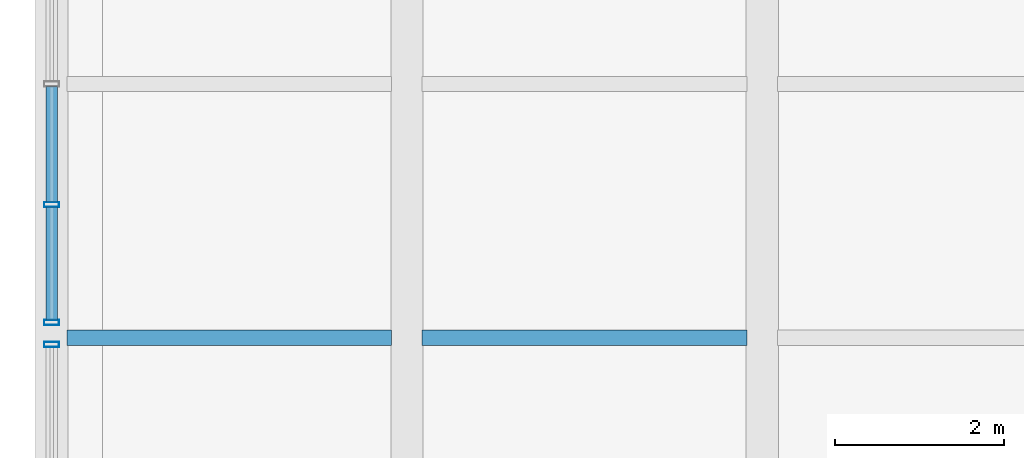
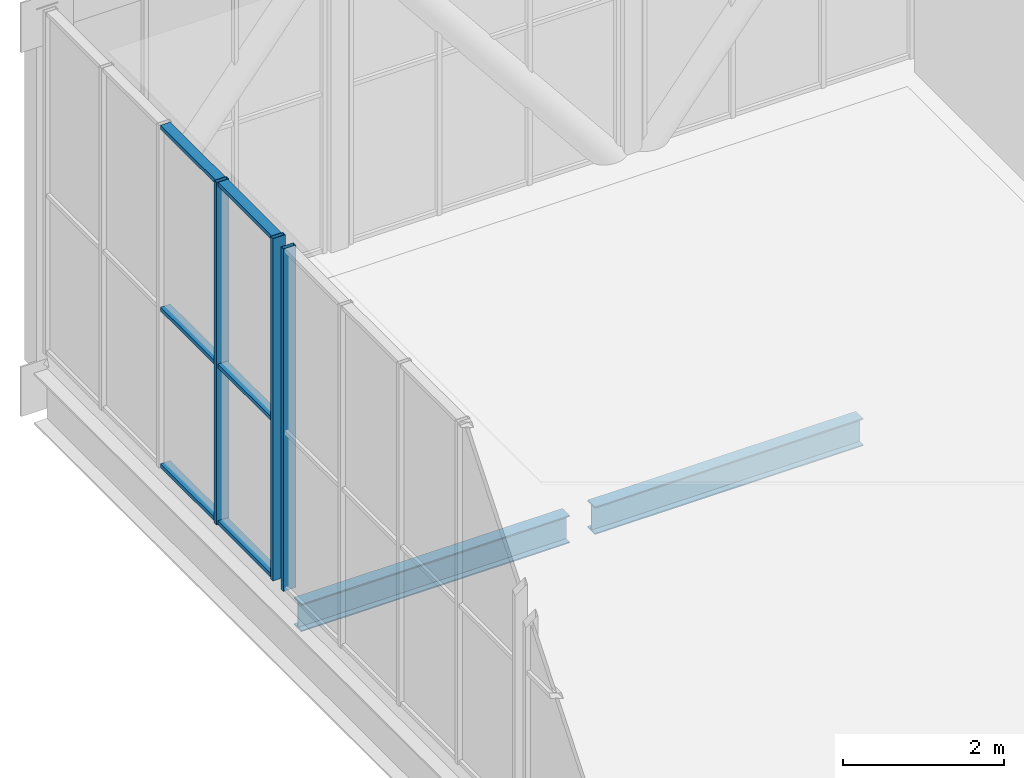
# One storey, part 10 of 58: 9 members, 2 beams, 2 elements without a shape of their own.
"""IFC4 building model written with IfcOpenShell, lengths in metres."""

from ifc_helpers import new_model, si_unit, direction, frame, origin, origin_2d, place, context, subcontext, project, spatial, hollow_rectangle, i_section, extrude, material, material_profile, profile_set, type_object, element, aggregate, save


model = new_model("IFC4")

# Units and contexts
model_context = context("Model", 3, precision=1e-05, world=origin(), true_north=direction((0.0, 1.0)))
body_context = subcontext(model_context, "Body", "Model", "MODEL_VIEW")
ifc_project = project(units=[si_unit("LENGTHUNIT", "METRE"), si_unit("AREAUNIT", "SQUARE_METRE"), si_unit("VOLUMEUNIT", "CUBIC_METRE"), si_unit("PLANEANGLEUNIT", "RADIAN"), si_unit("MASSUNIT", "GRAM", prefix="KILO")], contexts=[model_context])

# Site, building, storey
site_placement = place(None, origin())
site = spatial("IfcSite", under=ifc_project, at=site_placement, CompositionType="ELEMENT")
building_placement = place(site_placement, origin())
building = spatial("IfcBuilding", under=site, at=building_placement, Name="Khurvash Pelagic Aquarium", CompositionType="ELEMENT")
storey_placement = place(building_placement, frame((0.0, 0.0, 24.60009765625)))
storey = spatial("IfcBuildingStorey", under=building, at=storey_placement, Name="L05", CompositionType="ELEMENT", Elevation=24.60009765625)

# Curtain wall, member
ifc_material_1 = material(Name="Anodised aluminium and low-E laminated glass", Category="aluminium")
curtain_wall_type = type_object("IfcCurtainWallType", Name="CW-04", PredefinedType="USERDEFINED", material=ifc_material_1)
curtain_wall_1_placement = place(storey_placement, origin())
curtain_wall_1 = element("IfcCurtainWall", 1, at=curtain_wall_1_placement, inside=storey, type_object=curtain_wall_type, Name="L05 West Cantilever Overlook Curtain Wall CW-04", ObjectType="UNITISED CURTAIN WALL", PredefinedType="USERDEFINED")
ifc_material_2 = material(Name="Extruded aluminium AW-6063-T6", Category="aluminium")
ifc_material_profile_1 = material_profile(ifc_material_2, hollow_rectangle(XDim=0.06005859375, YDim=0.179931640625, WallThickness=0.00390625, at=origin_2d()), Name="CWM60X180X4")
ifc_profile_set_1 = profile_set([ifc_material_profile_1], Name="Extruded aluminium AW-6063-T6")
member_type_1 = type_object("IfcMemberType", Name="CM-01", PredefinedType="MULLION", material=ifc_profile_set_1)
member_1_placement = place(storey_placement, frame((12.60009765625, 23.6201171875, 0.0), z_axis=(0.0, 0.0, 1.0), x_axis=(0.0, 1.0, 0.0)))
member_1 = element("IfcMember", 2, at=member_1_placement, type_object=member_type_1, Name="CW-04 mullion 5", PredefinedType="MULLION", context=body_context, shape_type="SweptSolid", body=[
    extrude(hollow_rectangle(XDim=0.06005859375, YDim=0.179931640625, WallThickness=0.00390625, at=origin_2d()), origin(), (0.0, 0.0, 1.0), 5.179931640625),
])
aggregate(curtain_wall_1, [member_1])

# Curtain wall, members
curtain_wall_2_placement = place(storey_placement, origin())
curtain_wall_2 = element("IfcCurtainWall", 3, at=curtain_wall_2_placement, inside=storey, type_object=curtain_wall_type, Name="L05 West Cantilever Overlook Curtain Wall CW-04", ObjectType="UNITISED CURTAIN WALL", PredefinedType="USERDEFINED")
member_2_placement = place(storey_placement, frame((12.60009765625, 23.8798828125, 0.0), z_axis=(0.0, 0.0, 1.0), x_axis=(0.0, 1.0, 0.0)))
member_2 = element("IfcMember", 4, at=member_2_placement, type_object=member_type_1, Name="CW-04 mullion 1", PredefinedType="MULLION", context=body_context, shape_type="SweptSolid", body=[
    extrude(hollow_rectangle(XDim=0.06005859375, YDim=0.179931640625, WallThickness=0.00390625, at=origin_2d()), origin(), (0.0, 0.0, 1.0), 5.179931640625),
])
member_3_placement = place(storey_placement, frame((12.60009765625, 25.27490234375, 0.0), z_axis=(0.0, 0.0, 1.0), x_axis=(0.0, 1.0, 0.0)))
member_3 = element("IfcMember", 5, at=member_3_placement, type_object=member_type_1, Name="CW-04 mullion 2", PredefinedType="MULLION", context=body_context, shape_type="SweptSolid", body=[
    extrude(hollow_rectangle(XDim=0.06005859375, YDim=0.179931640625, WallThickness=0.00390625, at=origin_2d()), origin(), (0.0, 0.0, 1.0), 5.179931640625),
])
ifc_material_profile_2 = material_profile(ifc_material_2, hollow_rectangle(XDim=0.139892578125, YDim=0.06005859375, WallThickness=0.00390625, at=origin_2d()), Name="CWT140X60X4")
ifc_profile_set_2 = profile_set([ifc_material_profile_2], Name="Extruded aluminium AW-6063-T6")
member_type_2 = type_object("IfcMemberType", Name="CT-01", PredefinedType="USERDEFINED", material=ifc_profile_set_2)
member_4_placement = place(storey_placement, frame((12.60009765625, 23.909912109375, 0.02978515625), z_axis=(0.0, 1.0, 0.0), x_axis=(-1.0, 0.0, 0.0)))
member_4 = element("IfcMember", 6, at=member_4_placement, type_object=member_type_2, Name="CW-04 transom 1.1", ObjectType="TRANSOM", PredefinedType="USERDEFINED", context=body_context, shape_type="SweptSolid", body=[
    extrude(hollow_rectangle(XDim=0.139892578125, YDim=0.06005859375, WallThickness=0.00390625, at=origin_2d()), origin(), (0.0, 0.0, 1.0), 1.335205078125),
])
member_5_placement = place(storey_placement, frame((12.60009765625, 23.909912109375, 2.39990234375), z_axis=(0.0, 1.0, 0.0), x_axis=(-1.0, 0.0, 0.0)))
member_5 = element("IfcMember", 7, at=member_5_placement, type_object=member_type_2, Name="CW-04 transom 1.2", ObjectType="TRANSOM", PredefinedType="USERDEFINED", context=body_context, shape_type="SweptSolid", body=[
    extrude(hollow_rectangle(XDim=0.139892578125, YDim=0.06005859375, WallThickness=0.00390625, at=origin_2d()), origin(), (0.0, 0.0, 1.0), 1.335205078125),
])
member_6_placement = place(storey_placement, frame((12.60009765625, 23.909912109375, 5.14990234375), z_axis=(0.0, 1.0, 0.0), x_axis=(-1.0, 0.0, 0.0)))
member_6 = element("IfcMember", 8, at=member_6_placement, type_object=member_type_2, Name="CW-04 transom 1.3", ObjectType="TRANSOM", PredefinedType="USERDEFINED", context=body_context, shape_type="SweptSolid", body=[
    extrude(hollow_rectangle(XDim=0.139892578125, YDim=0.06005859375, WallThickness=0.00390625, at=origin_2d()), origin(), (0.0, 0.0, 1.0), 1.335205078125),
])
member_7_placement = place(storey_placement, frame((12.60009765625, 25.304931640625, 0.02978515625), z_axis=(0.0, 1.0, 0.0), x_axis=(-1.0, 0.0, 0.0)))
member_7 = element("IfcMember", 9, at=member_7_placement, type_object=member_type_2, Name="CW-04 transom 2.1", ObjectType="TRANSOM", PredefinedType="USERDEFINED", context=body_context, shape_type="SweptSolid", body=[
    extrude(hollow_rectangle(XDim=0.139892578125, YDim=0.06005859375, WallThickness=0.00390625, at=origin_2d()), origin(), (0.0, 0.0, 1.0), 1.364990234375),
])
member_8_placement = place(storey_placement, frame((12.60009765625, 25.304931640625, 2.39990234375), z_axis=(0.0, 1.0, 0.0), x_axis=(-1.0, 0.0, 0.0)))
member_8 = element("IfcMember", 10, at=member_8_placement, type_object=member_type_2, Name="CW-04 transom 2.2", ObjectType="TRANSOM", PredefinedType="USERDEFINED", context=body_context, shape_type="SweptSolid", body=[
    extrude(hollow_rectangle(XDim=0.139892578125, YDim=0.06005859375, WallThickness=0.00390625, at=origin_2d()), origin(), (0.0, 0.0, 1.0), 1.364990234375),
])
member_9_placement = place(storey_placement, frame((12.60009765625, 25.304931640625, 5.14990234375), z_axis=(0.0, 1.0, 0.0), x_axis=(-1.0, 0.0, 0.0)))
member_9 = element("IfcMember", 11, at=member_9_placement, type_object=member_type_2, Name="CW-04 transom 2.3", ObjectType="TRANSOM", PredefinedType="USERDEFINED", context=body_context, shape_type="SweptSolid", body=[
    extrude(hollow_rectangle(XDim=0.139892578125, YDim=0.06005859375, WallThickness=0.00390625, at=origin_2d()), origin(), (0.0, 0.0, 1.0), 1.364990234375),
])
aggregate(curtain_wall_2, [member_2, member_3, member_4, member_5, member_6, member_7, member_8, member_9])

# Beams
ifc_material_3 = material(Name="Steel ASTM A992 Grade 50", Category="steel")
ifc_material_profile_3 = material_profile(ifc_material_3, i_section(OverallWidth=0.180908203125, OverallDepth=0.4169921875, WebThickness=0.010986328125, FlangeThickness=0.018310546875, at=origin_2d()), Name="W16X57")
ifc_profile_set_3 = profile_set([ifc_material_profile_3], Name="Steel ASTM A992 Grade 50")
beam_type = type_object("IfcBeamType", Name="JS-03", PredefinedType="JOIST", material=ifc_profile_set_3)
for number, where, z_axis, x_axis, name in (
    (12, (12.780029296875, 23.699951171875, -0.508544921875), (1.0, 0.0, 0.0), (0.0, 1.0, 0.0), "L05 Sky-Bar Floor Joist JS-03 P01"),
    (13, (16.97998046875, 23.699951171875, -0.508544921875), (1.0, 0.0, 0.0), (0.0, 1.0, 0.0), "L05 Sky-Bar Floor Joist JS-03 P02"),
):
    element("IfcBeam", number, at=place(storey_placement, frame(where, z_axis=z_axis, x_axis=x_axis)), inside=storey, type_object=beam_type, Name=name, PredefinedType="JOIST", context=body_context, shape_type="SweptSolid", body=[
        extrude(i_section(OverallWidth=0.180908203125, OverallDepth=0.4169921875, WebThickness=0.010986328125, FlangeThickness=0.018310546875, at=origin_2d()), origin(), (0.0, 0.0, 1.0), 3.840087890625),
    ])

save(model, "model.ifc")
